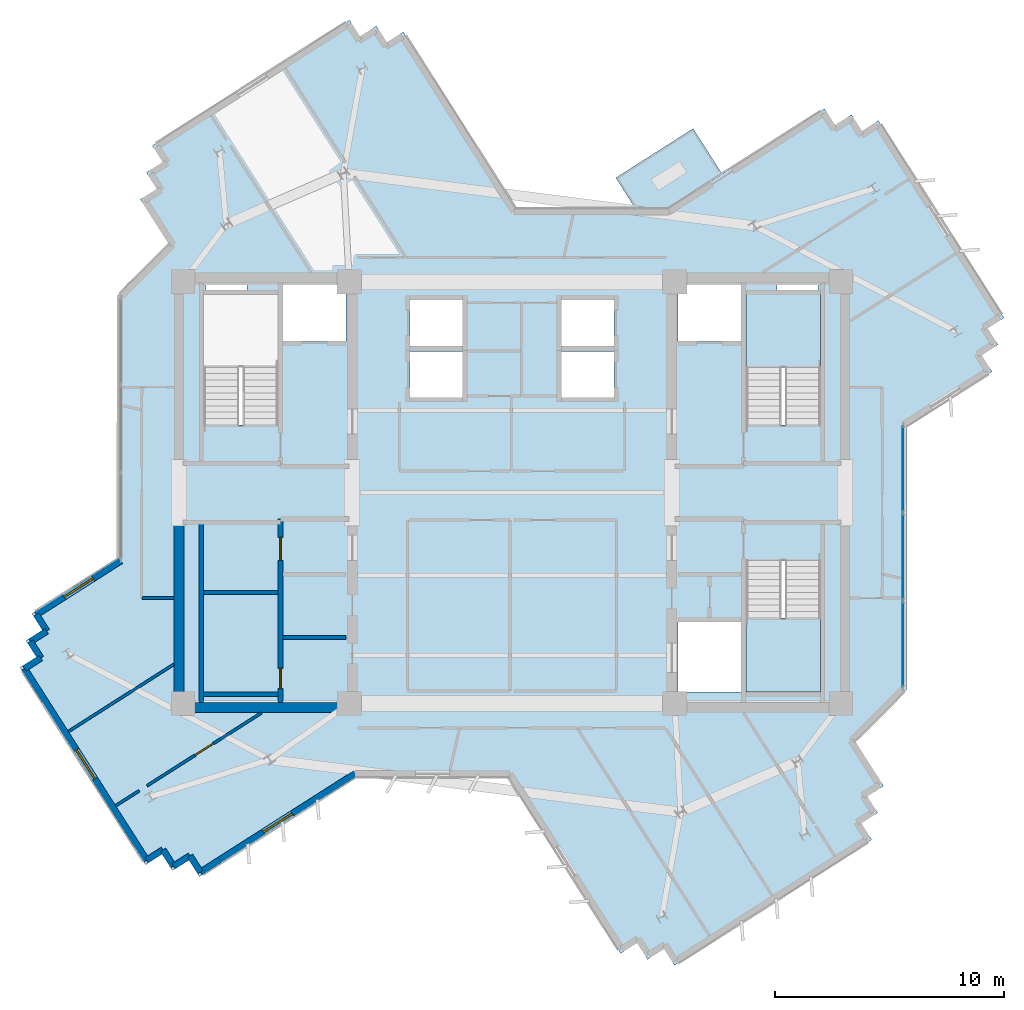
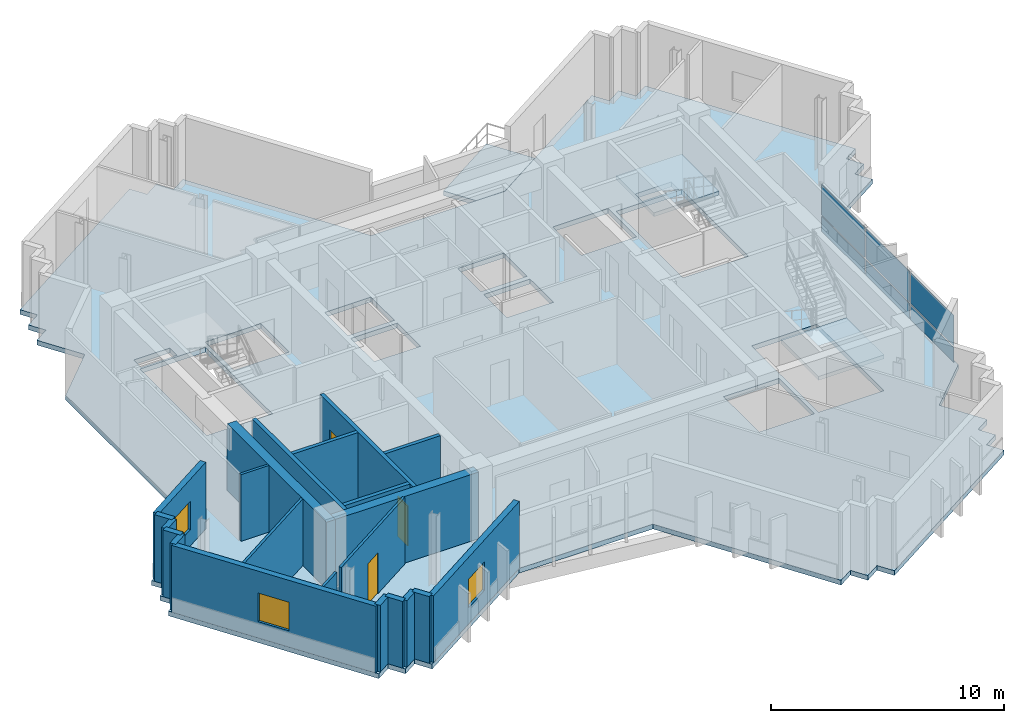
# One storey, part 4 of 12: 22 walls, 6 plates, 4 slabs, 3 doors, 3 windows, 6 openings, 3 elements without a shape of their own.
"""IFC4 building model written with IfcOpenShell, lengths in metres."""

from ifc_helpers import new_model, si_unit, direction, frame, frame_2d, origin, origin_2d, place, context, subcontext, project, spatial, polyline, rectangle, outline, extrude, source, transform, mapped, material, layer, layer_set, type_object, element, fill, aggregate, save


model = new_model("IFC4")

# Units and contexts
model_context = context("Model", 3, precision=1e-05, world=origin(), true_north=direction((0.0, 1.0)))
body_context = subcontext(model_context, "Body", "Model", "MODEL_VIEW")
ifc_project = project(units=[si_unit("LENGTHUNIT", "METRE"), si_unit("AREAUNIT", "SQUARE_METRE"), si_unit("VOLUMEUNIT", "CUBIC_METRE"), si_unit("PLANEANGLEUNIT", "RADIAN"), si_unit("MASSUNIT", "GRAM", prefix="KILO")], contexts=[model_context])

# Site, building, storey
site_placement = place(None, origin())
site = spatial("IfcSite", under=ifc_project, at=site_placement, CompositionType="ELEMENT")
building_placement = place(site_placement, origin())
building = spatial("IfcBuilding", under=site, at=building_placement, Name="Zahravan Cultural Tower", CompositionType="ELEMENT")
storey_placement = place(building_placement, frame((0.0, 0.0, 265.35009765625)))
storey = spatial("IfcBuildingStorey", under=building, at=storey_placement, Name="L63", CompositionType="ELEMENT", Elevation=265.35009765625)

# Stair, slab
ifc_material_1 = material(Name="Concrete C45/55", Category="concrete")
stair_type = type_object("IfcStairType", Name="STR-DL-1550-375", PredefinedType="HALF_TURN_STAIR", material=ifc_material_1)
stair_1_placement = place(storey_placement, origin())
stair_1 = element("IfcStair", 1, at=stair_1_placement, inside=storey, type_object=stair_type, Name="L63 East Core North Exit Stair ST-E1", PredefinedType="HALF_TURN_STAIR")
ifc_layer_1 = layer(ifc_material_1, 0.199951171875)
ifc_layer_set_1 = layer_set([ifc_layer_1], Name="Concrete C45/55")
slab_type_1 = type_object("IfcSlabType", Name="SL-STAIR-LND200", PredefinedType="LANDING", material=ifc_layer_set_1)
slab_1_placement = place(storey_placement, frame((0.0, 0.0, 1.6748046875)))
slab_1 = element("IfcSlab", 2, at=slab_1_placement, type_object=slab_type_1, Name="ST-E1 landing 1", PredefinedType="LANDING", context=body_context, shape_type="SweptSolid", body=[
    extrude(outline(polyline([(49.449951171875, 32.469970703125), (49.449951171875, 35.699951171875), (46.199951171875, 35.699951171875), (46.199951171875, 32.469970703125), (49.449951171875, 32.469970703125)])), origin(), (0.0, 0.0, 1.0), 0.2001953125),
])
aggregate(stair_1, [slab_1])

stair_2_placement = place(storey_placement, origin())
stair_2 = element("IfcStair", 3, at=stair_2_placement, inside=storey, type_object=stair_type, Name="L63 East Core South Exit Stair ST-E2", PredefinedType="HALF_TURN_STAIR")
slab_2_placement = place(storey_placement, frame((0.0, 0.0, 1.6748046875)))
slab_2 = element("IfcSlab", 4, at=slab_2_placement, type_object=slab_type_1, Name="ST-E2 landing 1", PredefinedType="LANDING", context=body_context, shape_type="SweptSolid", body=[
    extrude(outline(polyline([(46.199951171875, 21.530029296875), (46.199951171875, 18.300048828125), (49.449951171875, 18.300048828125), (49.449951171875, 21.530029296875), (46.199951171875, 21.530029296875)])), origin(), (0.0, 0.0, 1.0), 0.2001953125),
])
aggregate(stair_2, [slab_2])

# Slabs
ifc_material_2 = material(Name="Concrete C40/50", Category="concrete")
ifc_layer_2 = layer(ifc_material_2, 0.239990234375)
ifc_layer_set_2 = layer_set([ifc_layer_2], Name="Concrete C40/50")
slab_type_2 = type_object("IfcSlabType", Name="SL-TERR-240", PredefinedType="FLOOR", material=ifc_layer_set_2)
slab_3_placement = place(storey_placement, frame((0.0, 0.0, -0.239990234375)))
element("IfcSlab", 5, at=slab_3_placement, inside=storey, type_object=slab_type_2, Name="L63 Planted Sculpture Terrace NE", PredefinedType="FLOOR", context=body_context, shape_type="SweptSolid", body=[
    extrude(outline(polyline([(40.52978515625, 40.73486328125), (41.376708984375, 39.405029296875), (42.806884765625, 39.405029296875), (45.1630859375, 40.90625), (43.9033203125, 42.884033203125), (40.52978515625, 40.73486328125)])), origin(), (0.0, 0.0, 1.0), 0.239990234375),
])
ifc_layer_3 = layer(ifc_material_2, 0.25)
ifc_layer_set_3 = layer_set([ifc_layer_3], Name="Concrete C40/50")
slab_type_3 = type_object("IfcSlabType", Name="SL-TYP-250", PredefinedType="FLOOR", material=ifc_layer_set_3)
slab_4_placement = place(storey_placement, frame((0.0, 0.0, -0.25)))
element("IfcSlab", 6, at=slab_4_placement, inside=storey, type_object=slab_type_3, Name="L63 Structural Floor Slab", PredefinedType="FLOOR", context=body_context, shape_type="SweptSolid", body=[
    extrude(outline(polyline([(42.80810546875, 39.39990234375), (36.1630859375, 39.39990234375), (31.2578125, 47.099853515625), (30.540771484375, 46.64306640625), (30.083984375, 47.35986328125), (29.3671875, 46.9033203125), (28.910400390625, 47.6201171875), (20.30810546875, 42.1396484375), (20.7646484375, 41.4228515625), (20.0478515625, 40.966064453125), (20.50439453125, 40.249267578125), (19.78759765625, 39.79248046875), (21.034912109375, 37.834716796875), (18.800048828125, 35.60009765625), (18.800048828125, 24.10498046875), (15.056884765625, 21.720458984375), (15.513427734375, 21.00341796875), (14.796630859375, 20.546875), (15.25341796875, 19.829833984375), (14.53662109375, 19.373291015625), (20.016845703125, 10.770751953125), (20.73388671875, 11.227294921875), (21.1904296875, 10.510498046875), (21.907470703125, 10.96728515625), (22.364013671875, 10.250244140625), (29.19189453125, 14.60009765625), (35.8369140625, 14.60009765625), (40.7421875, 6.900146484375), (41.459228515625, 7.35693359375), (41.916015625, 6.64013671875), (42.6328125, 7.0966796875), (43.089599609375, 6.3798828125), (51.69189453125, 11.8603515625), (51.2353515625, 12.5771484375), (51.9521484375, 13.033935546875), (51.49560546875, 13.750732421875), (52.21240234375, 14.20751953125), (50.965087890625, 16.165283203125), (53.199951171875, 18.39990234375), (53.199951171875, 29.89501953125), (56.943115234375, 32.279541015625), (56.486572265625, 32.99658203125), (57.203369140625, 33.453125), (56.74658203125, 34.170166015625), (57.46337890625, 34.626708984375), (51.983154296875, 43.229248046875), (51.26611328125, 42.772705078125), (50.8095703125, 43.489501953125), (50.092529296875, 43.03271484375), (49.635986328125, 43.749755859375), (42.80810546875, 39.39990234375)]), holes=[polyline([(22.550048828125, 29.949951171875), (22.550048828125, 35.699951171875), (25.800048828125, 35.699951171875), (25.800048828125, 29.949951171875), (22.550048828125, 29.949951171875)]), polyline([(46.199951171875, 29.949951171875), (46.199951171875, 35.699951171875), (49.449951171875, 35.699951171875), (49.449951171875, 29.949951171875), (46.199951171875, 29.949951171875)]), polyline([(46.199951171875, 18.300048828125), (46.199951171875, 24.050048828125), (49.449951171875, 24.050048828125), (49.449951171875, 18.300048828125), (46.199951171875, 18.300048828125)]), polyline([(26.0, 33.60009765625), (26.0, 36.050048828125), (28.75, 36.050048828125), (28.75, 33.60009765625), (26.0, 33.60009765625)]), polyline([(43.25, 33.60009765625), (43.25, 36.050048828125), (46.0, 36.050048828125), (46.0, 33.60009765625), (43.25, 33.60009765625)]), polyline([(43.25, 18.300048828125), (43.25, 21.35009765625), (46.0, 21.35009765625), (46.0, 18.300048828125), (43.25, 18.300048828125)]), polyline([(31.550048828125, 33.39990234375), (31.550048828125, 35.39990234375), (33.85009765625, 35.39990234375), (33.85009765625, 33.39990234375), (31.550048828125, 33.39990234375)]), polyline([(31.550048828125, 31.14990234375), (31.550048828125, 33.14990234375), (33.85009765625, 33.14990234375), (33.85009765625, 31.14990234375), (31.550048828125, 31.14990234375)]), polyline([(38.14990234375, 33.39990234375), (38.14990234375, 35.39990234375), (40.449951171875, 35.39990234375), (40.449951171875, 33.39990234375), (38.14990234375, 33.39990234375)]), polyline([(38.14990234375, 31.14990234375), (38.14990234375, 33.14990234375), (40.449951171875, 33.14990234375), (40.449951171875, 31.14990234375), (38.14990234375, 31.14990234375)]), polyline([(22.64990234375, 35.800048828125), (22.64990234375, 36.419921875), (24.449951171875, 36.419921875), (24.449951171875, 35.800048828125), (22.64990234375, 35.800048828125)]), polyline([(47.550048828125, 35.800048828125), (47.550048828125, 36.419921875), (49.35009765625, 36.419921875), (49.35009765625, 35.800048828125), (47.550048828125, 35.800048828125)])]), origin(), (0.0, 0.0, 1.0), 0.25),
])

# Curtain wall, plates
ifc_material_3 = material(Name="Anodised bronze-aluminium mullion", Category="aluminium")
ifc_layer_4 = layer(ifc_material_3, 0.219970703125)
ifc_layer_set_4 = layer_set([ifc_layer_4], Name="Anodised bronze-aluminium mullion")
curtain_wall_type = type_object("IfcCurtainWallType", Name="CW-SYS-1", PredefinedType="USERDEFINED", material=ifc_layer_set_4)
curtain_wall_placement = place(storey_placement, origin())
curtain_wall = element("IfcCurtainWall", 7, at=curtain_wall_placement, inside=storey, type_object=curtain_wall_type, Name="L63 Recessed Curtain Wall CW-1.1", ObjectType="RECESSED GLAZING", PredefinedType="USERDEFINED")
ifc_material_4 = material(Name="Low-E solar-control double glazing", Category="glass")
ifc_layer_5 = layer(ifc_material_4, 0.031982421875)
ifc_layer_set_5 = layer_set([ifc_layer_5], Name="Low-E solar-control double glazing")
plate_type = type_object("IfcPlateType", Name="CWP-CW-1", PredefinedType="CURTAIN_PANEL", material=ifc_layer_set_5)
shared_shape_1 = source(origin(), body_context, "Body", "SweptSolid", [
    extrude(rectangle(XDim=3.718017578125, YDim=0.031982421875, at=origin_2d()), origin(), (0.0, 0.0, 1.0), 0.780029296875),
])
plate_1_placement = place(storey_placement, frame((53.06005859375, 28.03271484375, 0.080078125), z_axis=(0.0, 0.0, 1.0), x_axis=(0.0, -1.0, 0.0)))
plate_1 = element("IfcPlate", 8, at=plate_1_placement, type_object=plate_type, Name="CW-1 panel 1.1", PredefinedType="CURTAIN_PANEL", context=body_context, shape_type="MappedRepresentation", body=[
    mapped(shared_shape_1, transform((0.0, 0.0, 0.0), x_axis=(1.0, 0.0, 0.0), y_axis=(0.0, 1.0, 0.0), z_axis=(0.0, 0.0, 1.0), scale=1.0)),
])
plate_2_placement = place(storey_placement, frame((53.06005859375, 20.39697265625, 0.080078125), z_axis=(0.0, 0.0, 1.0), x_axis=(0.0, -1.0, 0.0)))
plate_2 = element("IfcPlate", 9, at=plate_2_placement, type_object=plate_type, Name="CW-1 panel 3.1", PredefinedType="CURTAIN_PANEL", context=body_context, shape_type="MappedRepresentation", body=[
    mapped(shared_shape_1, transform((0.0, 0.0, 0.0), x_axis=(1.0, 0.0, 0.0), y_axis=(0.0, 1.0, 0.0), z_axis=(0.0, 0.0, 1.0), scale=1.0)),
])
shared_shape_2 = source(origin(), body_context, "Body", "SweptSolid", [
    extrude(rectangle(XDim=3.718017578125, YDim=0.031982421875, at=origin_2d()), origin(), (0.0, 0.0, 1.0), 1.60009765625),
])
plate_3_placement = place(storey_placement, frame((53.06005859375, 28.03271484375, 0.93994140625), z_axis=(0.0, 0.0, 1.0), x_axis=(0.0, -1.0, 0.0)))
plate_3 = element("IfcPlate", 10, at=plate_3_placement, type_object=plate_type, Name="CW-1 panel 1.2", PredefinedType="CURTAIN_PANEL", context=body_context, shape_type="MappedRepresentation", body=[
    mapped(shared_shape_2, transform((0.0, 0.0, 0.0), x_axis=(1.0, 0.0, 0.0), y_axis=(0.0, 1.0, 0.0), z_axis=(0.0, 0.0, 1.0), scale=1.0)),
])
plate_4_placement = place(storey_placement, frame((53.06005859375, 20.39697265625, 0.93994140625), z_axis=(0.0, 0.0, 1.0), x_axis=(0.0, -1.0, 0.0)))
plate_4 = element("IfcPlate", 11, at=plate_4_placement, type_object=plate_type, Name="CW-1 panel 3.2", PredefinedType="CURTAIN_PANEL", context=body_context, shape_type="MappedRepresentation", body=[
    mapped(shared_shape_2, transform((0.0, 0.0, 0.0), x_axis=(1.0, 0.0, 0.0), y_axis=(0.0, 1.0, 0.0), z_axis=(0.0, 0.0, 1.0), scale=1.0)),
])
shared_shape_3 = source(origin(), body_context, "Body", "SweptSolid", [
    extrude(rectangle(XDim=3.7578125, YDim=0.031982421875, at=origin_2d()), origin(), (0.0, 0.0, 1.0), 0.780029296875),
])
plate_5_placement = place(storey_placement, frame((53.06005859375, 24.21484375, 0.080078125), z_axis=(0.0, 0.0, 1.0), x_axis=(0.0, -1.0, 0.0)))
plate_5 = element("IfcPlate", 12, at=plate_5_placement, type_object=plate_type, Name="CW-1 panel 2.1", PredefinedType="CURTAIN_PANEL", context=body_context, shape_type="MappedRepresentation", body=[
    mapped(shared_shape_3, transform((0.0, 0.0, 0.0), x_axis=(1.0, 0.0, 0.0), y_axis=(0.0, 1.0, 0.0), z_axis=(0.0, 0.0, 1.0), scale=1.0)),
])
shared_shape_4 = source(origin(), body_context, "Body", "SweptSolid", [
    extrude(rectangle(XDim=3.7578125, YDim=0.031982421875, at=origin_2d()), origin(), (0.0, 0.0, 1.0), 1.60009765625),
])
plate_6_placement = place(storey_placement, frame((53.06005859375, 24.21484375, 0.93994140625), z_axis=(0.0, 0.0, 1.0), x_axis=(0.0, -1.0, 0.0)))
plate_6 = element("IfcPlate", 13, at=plate_6_placement, type_object=plate_type, Name="CW-1 panel 2.2", PredefinedType="CURTAIN_PANEL", context=body_context, shape_type="MappedRepresentation", body=[
    mapped(shared_shape_4, transform((0.0, 0.0, 0.0), x_axis=(1.0, 0.0, 0.0), y_axis=(0.0, 1.0, 0.0), z_axis=(0.0, 0.0, 1.0), scale=1.0)),
])
aggregate(curtain_wall, [plate_1, plate_3, plate_5, plate_6, plate_2, plate_4])

# Wall, opening, window
ifc_material_5 = material(Name="Precast concrete C40/50", Category="concrete")
ifc_layer_6 = layer(ifc_material_5, 0.280029296875)
ifc_layer_set_6 = layer_set([ifc_layer_6], Name="Precast concrete C40/50")
wall_type_1 = type_object("IfcWallType", Name="EW-TC-280", PredefinedType="SOLIDWALL", material=ifc_layer_set_6)
wall_1_placement = place(storey_placement, frame((29.15087890625, 14.739990234375, 0.0), z_axis=(0.0, 0.0, 1.0), x_axis=(-0.843388565396, -0.537304129669, 0.0)))
wall_1 = element("IfcWall", 14, at=wall_1_placement, inside=storey, type_object=wall_type_1, Name="L63 Exterior Masonry Frame Wall 25", PredefinedType="SOLIDWALL", context=body_context, shape_type="SweptSolid", body=[
    extrude(rectangle(XDim=7.99609375, YDim=0.280029296875, at=frame_2d((3.998046875, 0.0))), origin(), (0.0, 0.0, 1.0), 3.5),
])
opening_1_placement = place(wall_1_placement, frame((3.248046875, 0.0, 0.85009765625)))
opening_1 = element("IfcOpeningElement", 15, at=opening_1_placement, cuts=wall_1, Name="Opening WN-03", PredefinedType="OPENING", context=body_context, shape_type="SweptSolid", body=[
    extrude(rectangle(XDim=1.5, YDim=1.5, at=frame_2d((0.75, 0.75))), frame((0.0, 0.14990234375, 0.0), z_axis=(0.0, -1.0, 0.0), x_axis=(1.0, 0.0, 0.0)), (0.0, 0.0, 1.0), 0.300048828125),
])
window_type = type_object("IfcWindowType", Name="WN-REC-1500X1500", PartitioningType="SINGLE_PANEL", PredefinedType="WINDOW", material=ifc_material_4)
shared_shape_5 = source(origin(), body_context, "Body", "SweptSolid", [
    extrude(rectangle(XDim=1.5, YDim=1.5, at=frame_2d((0.75, 0.75))), frame((0.0, 0.030029296875, 0.0), z_axis=(0.0, -1.0, 0.0), x_axis=(1.0, 0.0, 0.0)), (0.0, 0.0, 1.0), 0.06005859375),
])
window_1_placement = place(opening_1_placement, origin())
window_1 = element("IfcWindow", 16, at=window_1_placement, inside=storey, type_object=window_type, Name="L63 Recessed Solar Window 05", OverallHeight=1.5, OverallWidth=1.5, PartitioningType="SINGLE_PANEL", PredefinedType="WINDOW", context=body_context, shape_type="MappedRepresentation", body=[
    mapped(shared_shape_5, transform((0.0, 0.0, 0.0), x_axis=(1.0, 0.0, 0.0), y_axis=(0.0, 1.0, 0.0), z_axis=(0.0, 0.0, 1.0), scale=1.0)),
])
fill(opening_1, window_1)

wall_2_placement = place(storey_placement, frame((20.059814453125, 10.964111328125, 0.0), z_axis=(0.0, 0.0, 1.0), x_axis=(-0.537314949054, 0.843381672508, 0.0)))
wall_2 = element("IfcWall", 17, at=wall_2_placement, inside=storey, type_object=wall_type_1, Name="L63 Exterior Masonry Frame Wall 30", PredefinedType="SOLIDWALL", context=body_context, shape_type="SweptSolid", body=[
    extrude(rectangle(XDim=9.919921875, YDim=0.280029296875, at=frame_2d((4.9599609375, 0.0))), origin(), (0.0, 0.0, 1.0), 3.5),
])
opening_2_placement = place(wall_2_placement, frame((4.2099609375, 0.0, 0.85009765625)))
opening_2 = element("IfcOpeningElement", 18, at=opening_2_placement, cuts=wall_2, Name="Opening WN-03", PredefinedType="OPENING", context=body_context, shape_type="SweptSolid", body=[
    extrude(rectangle(XDim=1.5, YDim=1.5, at=frame_2d((0.75, 0.75))), frame((0.0, 0.14990234375, 0.0), z_axis=(0.0, -1.0, 0.0), x_axis=(1.0, 0.0, 0.0)), (0.0, 0.0, 1.0), 0.300048828125),
])
window_2_placement = place(opening_2_placement, origin())
window_2 = element("IfcWindow", 19, at=window_2_placement, inside=storey, type_object=window_type, Name="L63 Recessed Solar Window 06", OverallHeight=1.5, OverallWidth=1.5, PartitioningType="SINGLE_PANEL", PredefinedType="WINDOW", context=body_context, shape_type="MappedRepresentation", body=[
    mapped(shared_shape_5, transform((0.0, 0.0, 0.0), x_axis=(1.0, 0.0, 0.0), y_axis=(0.0, 1.0, 0.0), z_axis=(0.0, 0.0, 1.0), scale=1.0)),
])
fill(opening_2, window_2)

wall_3_placement = place(storey_placement, frame((15.25, 21.677490234375, 0.0), z_axis=(0.0, 0.0, 1.0), x_axis=(0.843383352012, 0.537312312857, 0.0)))
wall_3 = element("IfcWall", 20, at=wall_3_placement, inside=storey, type_object=wall_type_1, Name="L63 Exterior Masonry Frame Wall 35", PredefinedType="SOLIDWALL", context=body_context, shape_type="SweptSolid", body=[
    extrude(rectangle(XDim=4.375244140625, YDim=0.280029296875, at=frame_2d((2.1875, 0.0))), origin(), (0.0, 0.0, 1.0), 3.5),
])
opening_3_placement = place(wall_3_placement, frame((1.43798828125, 0.0, 0.85009765625)))
opening_3 = element("IfcOpeningElement", 21, at=opening_3_placement, cuts=wall_3, Name="Opening WN-03", PredefinedType="OPENING", context=body_context, shape_type="SweptSolid", body=[
    extrude(rectangle(XDim=1.5, YDim=1.5, at=frame_2d((0.75, 0.75))), frame((0.0, 0.14990234375, 0.0), z_axis=(0.0, -1.0, 0.0), x_axis=(1.0, 0.0, 0.0)), (0.0, 0.0, 1.0), 0.300048828125),
])
window_3_placement = place(opening_3_placement, origin())
window_3 = element("IfcWindow", 22, at=window_3_placement, inside=storey, type_object=window_type, Name="L63 Recessed Solar Window 07", OverallHeight=1.5, OverallWidth=1.5, PartitioningType="SINGLE_PANEL", PredefinedType="WINDOW", context=body_context, shape_type="MappedRepresentation", body=[
    mapped(shared_shape_5, transform((0.0, 0.0, 0.0), x_axis=(1.0, 0.0, 0.0), y_axis=(0.0, 1.0, 0.0), z_axis=(0.0, 0.0, 1.0), scale=1.0)),
])
fill(opening_3, window_3)

# Wall, opening, door
ifc_material_6 = material(Name="Gypsum plasterboard partition")
ifc_layer_7 = layer(ifc_material_6, 0.125)
ifc_layer_set_7 = layer_set([ifc_layer_7], Name="Gypsum plasterboard partition")
wall_type_2 = type_object("IfcWallType", Name="W-PART-125", PredefinedType="PARTITIONING", material=ifc_layer_set_7)
wall_4_placement = place(storey_placement, frame((25.073486328125, 17.39501953125, 0.0), z_axis=(0.0, 0.0, 1.0), x_axis=(-0.843398332862, -0.537288797693, 0.0)))
wall_4 = element("IfcWall", 23, at=wall_4_placement, inside=storey, type_object=wall_type_2, Name="L63 Interior Wall 058", PredefinedType="PARTITIONING", context=body_context, shape_type="SweptSolid", body=[
    extrude(rectangle(XDim=5.923583984375, YDim=0.125, at=frame_2d((2.9619140625, 0.0))), origin(), (0.0, 0.0, 1.0), 3.5),
])
opening_4_placement = place(wall_4_placement, frame((2.48681640625, 0.0, 0.0)))
opening_4 = element("IfcOpeningElement", 24, at=opening_4_placement, cuts=wall_4, Name="Opening D-L63-32", PredefinedType="OPENING", context=body_context, shape_type="SweptSolid", body=[
    extrude(rectangle(XDim=0.949951171875, YDim=2.14990234375, at=frame_2d((0.47509765625, 1.074951171875))), frame((0.0, 0.072509765625, 0.0), z_axis=(0.0, -1.0, 0.0), x_axis=(1.0, 0.0, 0.0)), (0.0, 0.0, 1.0), 0.14501953125),
])
door_type_1 = type_object("IfcDoorType", Name="DR-ROOM-950", OperationType="NOTDEFINED", PredefinedType="DOOR", material=ifc_material_3)
shared_shape_6 = source(origin(), body_context, "Body", "SweptSolid", [
    extrude(rectangle(XDim=0.949951171875, YDim=2.14990234375, at=frame_2d((0.47509765625, 1.074951171875))), frame((0.0, 0.02490234375, 0.0), z_axis=(0.0, -1.0, 0.0), x_axis=(1.0, 0.0, 0.0)), (0.0, 0.0, 1.0), 0.050048828125),
])
door_1_placement = place(opening_4_placement, origin())
door_1 = element("IfcDoor", 25, at=door_1_placement, inside=storey, type_object=door_type_1, Name="L63 Door D-L63-32", OperationType="SINGLE_SWING_LEFT", OverallHeight=2.14990234375, OverallWidth=0.949951171875, PredefinedType="DOOR", context=body_context, shape_type="MappedRepresentation", body=[
    mapped(shared_shape_6, transform((0.0, 0.0, 0.0), x_axis=(1.0, 0.0, 0.0), y_axis=(0.0, 1.0, 0.0), z_axis=(0.0, 0.0, 1.0), scale=1.0)),
])
fill(opening_4, door_1)

# Wall, openings, doors
ifc_layer_8 = layer(ifc_material_1, 0.199951171875)
ifc_layer_set_8 = layer_set([ifc_layer_8], Name="Concrete C45/55")
wall_type_3 = type_object("IfcWallType", Name="W-SHAFT-200", PredefinedType="SOLIDWALL", material=ifc_layer_set_8)
wall_5_placement = place(storey_placement, frame((25.89990234375, 17.85009765625, 0.0), z_axis=(0.0, 0.0, 1.0), x_axis=(0.0, 1.0, 0.0)))
wall_5 = element("IfcWall", 26, at=wall_5_placement, inside=storey, type_object=wall_type_3, Name="L63 Interior Wall 005", PredefinedType="SOLIDWALL", context=body_context, shape_type="SweptSolid", body=[
    extrude(rectangle(XDim=8.0, YDim=0.199951171875, at=frame_2d((4.0, 0.0))), origin(), (0.0, 0.0, 1.0), 3.5),
])
opening_5_placement = place(wall_5_placement, frame((6.199951171875, 0.0, 0.0)))
opening_5 = element("IfcOpeningElement", 27, at=opening_5_placement, cuts=wall_5, Name="Opening D-L63-04", PredefinedType="OPENING", context=body_context, shape_type="SweptSolid", body=[
    extrude(rectangle(XDim=1.0, YDim=2.14990234375, at=frame_2d((0.5, 1.074951171875))), frame((0.0, 0.10986328125, 0.0), z_axis=(0.0, -1.0, 0.0), x_axis=(1.0, 0.0, 0.0)), (0.0, 0.0, 1.0), 0.219970703125),
])
opening_6_placement = place(wall_5_placement, frame((0.60009765625, 0.0, 0.0)))
opening_6 = element("IfcOpeningElement", 28, at=opening_6_placement, cuts=wall_5, Name="Opening D-L63-05", PredefinedType="OPENING", context=body_context, shape_type="SweptSolid", body=[
    extrude(rectangle(XDim=0.8798828125, YDim=2.10009765625, at=frame_2d((0.43994140625, 1.050048828125))), frame((0.0, 0.10986328125, 0.0), z_axis=(0.0, -1.0, 0.0), x_axis=(1.0, 0.0, 0.0)), (0.0, 0.0, 1.0), 0.219970703125),
])
ifc_material_7 = material(Name="Steel ASTM A572 Grade 50", Category="steel")
door_type_2 = type_object("IfcDoorType", Name="DR-SVC-880", OperationType="NOTDEFINED", PredefinedType="DOOR", material=ifc_material_7)
shared_shape_7 = source(origin(), body_context, "Body", "SweptSolid", [
    extrude(rectangle(XDim=0.8798828125, YDim=2.10009765625, at=frame_2d((0.43994140625, 1.050048828125))), frame((0.0, 0.02490234375, 0.0), z_axis=(0.0, -1.0, 0.0), x_axis=(1.0, 0.0, 0.0)), (0.0, 0.0, 1.0), 0.050048828125),
])
door_2_placement = place(opening_6_placement, origin())
door_2 = element("IfcDoor", 29, at=door_2_placement, inside=storey, type_object=door_type_2, Name="L63 Door D-L63-05", OperationType="SINGLE_SWING_RIGHT", OverallHeight=2.10009765625, OverallWidth=0.8798828125, PredefinedType="DOOR", context=body_context, shape_type="MappedRepresentation", body=[
    mapped(shared_shape_7, transform((0.0, 0.0, 0.0), x_axis=(1.0, 0.0, 0.0), y_axis=(0.0, 1.0, 0.0), z_axis=(0.0, 0.0, 1.0), scale=1.0)),
])
fill(opening_6, door_2)
door_type_3 = type_object("IfcDoorType", Name="DR-COMP-1000", OperationType="NOTDEFINED", PredefinedType="DOOR", material=ifc_material_7)
shared_shape_8 = source(origin(), body_context, "Body", "SweptSolid", [
    extrude(rectangle(XDim=1.0, YDim=2.14990234375, at=frame_2d((0.5, 1.074951171875))), frame((0.0, 0.02490234375, 0.0), z_axis=(0.0, -1.0, 0.0), x_axis=(1.0, 0.0, 0.0)), (0.0, 0.0, 1.0), 0.050048828125),
])
door_3_placement = place(opening_5_placement, origin())
door_3 = element("IfcDoor", 30, at=door_3_placement, inside=storey, type_object=door_type_3, Name="L63 Door D-L63-04", OperationType="SINGLE_SWING_LEFT", OverallHeight=2.14990234375, OverallWidth=1.0, PredefinedType="DOOR", context=body_context, shape_type="MappedRepresentation", body=[
    mapped(shared_shape_8, transform((0.0, 0.0, 0.0), x_axis=(1.0, 0.0, 0.0), y_axis=(0.0, 1.0, 0.0), z_axis=(0.0, 0.0, 1.0), scale=1.0)),
])
fill(opening_5, door_3)

# Walls
ifc_material_8 = material(Name="Concrete C50/60", Category="concrete")
ifc_layer_9 = layer(ifc_material_8, 0.449951171875)
ifc_layer_set_9 = layer_set([ifc_layer_9], Name="Concrete C50/60")
wall_type_4 = type_object("IfcWallType", Name="CW-SHEAR-450-C50", PredefinedType="SHEAR", material=ifc_layer_set_9)
shared_shape_9 = source(origin(), body_context, "Body", "SweptSolid", [
    extrude(rectangle(XDim=8.550048828125, YDim=0.449951171875, at=frame_2d((4.27490234375, 0.0))), origin(), (0.0, 0.0, 1.0), 3.5),
])
wall_6_placement = place(storey_placement, frame((21.47509765625, 17.39990234375, 0.0), z_axis=(0.0, 0.0, 1.0), x_axis=(0.0, 1.0, 0.0)))
element("IfcWall", 31, at=wall_6_placement, inside=storey, type_object=wall_type_4, Name="L63 Core Shear Wall CW-W-WS-L63", PredefinedType="SHEAR", context=body_context, shape_type="MappedRepresentation", body=[
    mapped(shared_shape_9, transform((0.0, 0.0, 0.0), x_axis=(1.0, 0.0, 0.0), y_axis=(0.0, 1.0, 0.0), z_axis=(0.0, 0.0, 1.0), scale=1.0)),
])
shared_shape_10 = source(origin(), body_context, "Body", "SweptSolid", [
    extrude(rectangle(XDim=7.10009765625, YDim=0.449951171875, at=frame_2d((3.550048828125, 0.0))), origin(), (0.0, 0.0, 1.0), 3.5),
])
wall_7_placement = place(storey_placement, frame((21.699951171875, 17.625, 0.0), z_axis=(0.0, 0.0, 1.0), x_axis=(1.0, 0.0, 0.0)))
element("IfcWall", 32, at=wall_7_placement, inside=storey, type_object=wall_type_4, Name="L63 Core Shear Wall CW-W-S-L63", PredefinedType="SHEAR", context=body_context, shape_type="MappedRepresentation", body=[
    mapped(shared_shape_10, transform((0.0, 0.0, 0.0), x_axis=(1.0, 0.0, 0.0), y_axis=(0.0, 1.0, 0.0), z_axis=(0.0, 0.0, 1.0), scale=1.0)),
])
shared_shape_11 = source(origin(), body_context, "Body", "SweptSolid", [
    extrude(rectangle(XDim=0.85009765625, YDim=0.280029296875, at=frame_2d((0.425048828125, 0.0))), origin(), (0.0, 0.0, 1.0), 3.5),
])
wall_8_placement = place(storey_placement, frame((14.729736328125, 19.330322265625, 0.0), z_axis=(0.0, 0.0, 1.0), x_axis=(0.843401251716, 0.537284215853, 0.0)))
element("IfcWall", 33, at=wall_8_placement, inside=storey, type_object=wall_type_1, Name="L63 Exterior Masonry Frame Wall 31", PredefinedType="SOLIDWALL", context=body_context, shape_type="MappedRepresentation", body=[
    mapped(shared_shape_11, transform((0.0, 0.0, 0.0), x_axis=(1.0, 0.0, 0.0), y_axis=(0.0, 1.0, 0.0), z_axis=(0.0, 0.0, 1.0), scale=1.0)),
])
shared_shape_12 = source(origin(), body_context, "Body", "SweptSolid", [
    extrude(rectangle(XDim=0.849853515625, YDim=0.280029296875, at=frame_2d((0.4248046875, 0.0))), origin(), (0.0, 0.0, 1.0), 3.5),
])
for number, where, z_axis, x_axis, name in (
    (34, (22.406982421875, 10.443603515625, 0.0), (0.0, 0.0, 1.0), (-0.537414368337, 0.843318324659, 0.0), "L63 Exterior Masonry Frame Wall 26"),
    (35, (21.9501953125, 11.160400390625, 0.0), (0.0, 0.0, 1.0), (-0.843448497615, -0.537210044462, 0.0), "L63 Exterior Masonry Frame Wall 27"),
    (36, (21.2333984375, 10.703857421875, 0.0), (0.0, 0.0, 1.0), (-0.537414368337, 0.843318324659, 0.0), "L63 Exterior Masonry Frame Wall 28"),
    (37, (20.776611328125, 11.420654296875, 0.0), (0.0, 0.0, 1.0), (-0.843448497615, -0.537210044462, 0.0), "L63 Exterior Masonry Frame Wall 29"),
    (38, (15.44677734375, 19.787109375, 0.0), (0.0, 0.0, 1.0), (-0.537414368337, 0.843318324659, 0.0), "L63 Exterior Masonry Frame Wall 32"),
    (39, (14.989990234375, 20.50390625, 0.0), (0.0, 0.0, 1.0), (0.843318324659, 0.537414368337, 0.0), "L63 Exterior Masonry Frame Wall 33"),
    (40, (15.706787109375, 20.960693359375, 0.0), (0.0, 0.0, 1.0), (-0.537414368337, 0.843318324659, 0.0), "L63 Exterior Masonry Frame Wall 34"),
):
    element("IfcWall", number, at=place(storey_placement, frame(where, z_axis=z_axis, x_axis=x_axis)), inside=storey, type_object=wall_type_1, Name=name, PredefinedType="SOLIDWALL", context=body_context, shape_type="MappedRepresentation", body=[
        mapped(shared_shape_12, transform((0.0, 0.0, 0.0), x_axis=(1.0, 0.0, 0.0), y_axis=(0.0, 1.0, 0.0), z_axis=(0.0, 0.0, 1.0), scale=1.0)),
    ])
shared_shape_13 = source(origin(), body_context, "Body", "SweptSolid", [
    extrude(rectangle(XDim=7.869873046875, YDim=0.199951171875, at=frame_2d((3.93505859375, 0.0))), origin(), (0.0, 0.0, 1.0), 3.5),
])
wall_9_placement = place(storey_placement, frame((22.449951171875, 17.85009765625, 0.0), z_axis=(0.0, 0.0, 1.0), x_axis=(0.0, 1.0, 0.0)))
element("IfcWall", 41, at=wall_9_placement, inside=storey, type_object=wall_type_3, Name="L63 Interior Wall 001", PredefinedType="SOLIDWALL", context=body_context, shape_type="MappedRepresentation", body=[
    mapped(shared_shape_13, transform((0.0, 0.0, 0.0), x_axis=(1.0, 0.0, 0.0), y_axis=(0.0, 1.0, 0.0), z_axis=(0.0, 0.0, 1.0), scale=1.0)),
])
shared_shape_14 = source(origin(), body_context, "Body", "SweptSolid", [
    extrude(rectangle(XDim=3.25, YDim=0.199951171875, at=frame_2d((1.625, 0.0))), origin(), (0.0, 0.0, 1.0), 3.5),
])
wall_10_placement = place(storey_placement, frame((22.550048828125, 18.199951171875, 0.0), z_axis=(0.0, 0.0, 1.0), x_axis=(1.0, 0.0, 0.0)))
element("IfcWall", 42, at=wall_10_placement, inside=storey, type_object=wall_type_3, Name="L63 Interior Wall 019", PredefinedType="SOLIDWALL", context=body_context, shape_type="MappedRepresentation", body=[
    mapped(shared_shape_14, transform((0.0, 0.0, 0.0), x_axis=(1.0, 0.0, 0.0), y_axis=(0.0, 1.0, 0.0), z_axis=(0.0, 0.0, 1.0), scale=1.0)),
])
ifc_layer_10 = layer(ifc_material_6, 0.179931640625)
ifc_layer_set_10 = layer_set([ifc_layer_10], Name="Gypsum plasterboard partition")
wall_type_5 = type_object("IfcWallType", Name="W-COMP-180", PredefinedType="PARTITIONING", material=ifc_layer_set_10)
shared_shape_15 = source(origin(), body_context, "Body", "SweptSolid", [
    extrude(rectangle(XDim=3.25, YDim=0.179931640625, at=frame_2d((1.625, 0.0))), origin(), (0.0, 0.0, 1.0), 3.5),
])
wall_11_placement = place(storey_placement, frame((22.550048828125, 22.64990234375, 0.0), z_axis=(0.0, 0.0, 1.0), x_axis=(1.0, 0.0, 0.0)))
element("IfcWall", 43, at=wall_11_placement, inside=storey, type_object=wall_type_5, Name="L63 Interior Wall 021", PredefinedType="PARTITIONING", context=body_context, shape_type="MappedRepresentation", body=[
    mapped(shared_shape_15, transform((0.0, 0.0, 0.0), x_axis=(1.0, 0.0, 0.0), y_axis=(0.0, 1.0, 0.0), z_axis=(0.0, 0.0, 1.0), scale=1.0)),
])
shared_shape_16 = source(origin(), body_context, "Body", "SweptSolid", [
    extrude(rectangle(XDim=2.75, YDim=0.179931640625, at=frame_2d((1.375, 0.0))), origin(), (0.0, 0.0, 1.0), 3.5),
])
wall_12_placement = place(storey_placement, frame((26.0, 20.679931640625, 0.0), z_axis=(0.0, 0.0, 1.0), x_axis=(1.0, 0.0, 0.0)))
element("IfcWall", 44, at=wall_12_placement, inside=storey, type_object=wall_type_5, Name="L63 Interior Wall 027", PredefinedType="PARTITIONING", context=body_context, shape_type="MappedRepresentation", body=[
    mapped(shared_shape_16, transform((0.0, 0.0, 0.0), x_axis=(1.0, 0.0, 0.0), y_axis=(0.0, 1.0, 0.0), z_axis=(0.0, 0.0, 1.0), scale=1.0)),
])
shared_shape_17 = source(origin(), body_context, "Body", "SweptSolid", [
    extrude(rectangle(XDim=1.38916015625, YDim=0.125, at=frame_2d((0.694580078125, 0.0))), origin(), (0.0, 0.0, 1.0), 3.5),
])
wall_13_placement = place(storey_placement, frame((19.85595703125, 22.39990234375, 0.0), z_axis=(0.0, 0.0, 1.0), x_axis=(1.0, 0.0, 0.0)))
element("IfcWall", 45, at=wall_13_placement, inside=storey, type_object=wall_type_2, Name="L63 Interior Wall 082", PredefinedType="PARTITIONING", context=body_context, shape_type="MappedRepresentation", body=[
    mapped(shared_shape_17, transform((0.0, 0.0, 0.0), x_axis=(1.0, 0.0, 0.0), y_axis=(0.0, 1.0, 0.0), z_axis=(0.0, 0.0, 1.0), scale=1.0)),
])
shared_shape_18 = source(origin(), body_context, "Body", "SweptSolid", [
    extrude(rectangle(XDim=1.214599609375, YDim=0.125, at=frame_2d((0.607421875, 0.0))), origin(), (0.0, 0.0, 1.0), 3.5),
])
wall_14_placement = place(storey_placement, frame((19.73974609375, 13.9970703125, 0.0), z_axis=(0.0, 0.0, 1.0), x_axis=(-0.84340481812, -0.537278617453, 0.0)))
element("IfcWall", 46, at=wall_14_placement, inside=storey, type_object=wall_type_2, Name="L63 Interior Wall 059", PredefinedType="PARTITIONING", context=body_context, shape_type="MappedRepresentation", body=[
    mapped(shared_shape_18, transform((0.0, 0.0, 0.0), x_axis=(1.0, 0.0, 0.0), y_axis=(0.0, 1.0, 0.0), z_axis=(0.0, 0.0, 1.0), scale=1.0)),
])
shared_shape_19 = source(origin(), body_context, "Body", "SweptSolid", [
    extrude(rectangle(XDim=5.44580078125, YDim=0.125, at=frame_2d((2.722900390625, 0.0))), origin(), (0.0, 0.0, 1.0), 3.5),
])
wall_15_placement = place(storey_placement, frame((16.652099609375, 16.5830078125, 0.0), z_axis=(0.0, 0.0, 1.0), x_axis=(0.843395566027, 0.537293140851, 0.0)))
element("IfcWall", 47, at=wall_15_placement, inside=storey, type_object=wall_type_2, Name="L63 Interior Wall 060", PredefinedType="PARTITIONING", context=body_context, shape_type="MappedRepresentation", body=[
    mapped(shared_shape_19, transform((0.0, 0.0, 0.0), x_axis=(1.0, 0.0, 0.0), y_axis=(0.0, 1.0, 0.0), z_axis=(0.0, 0.0, 1.0), scale=1.0)),
])

save(model, "model.ifc")
